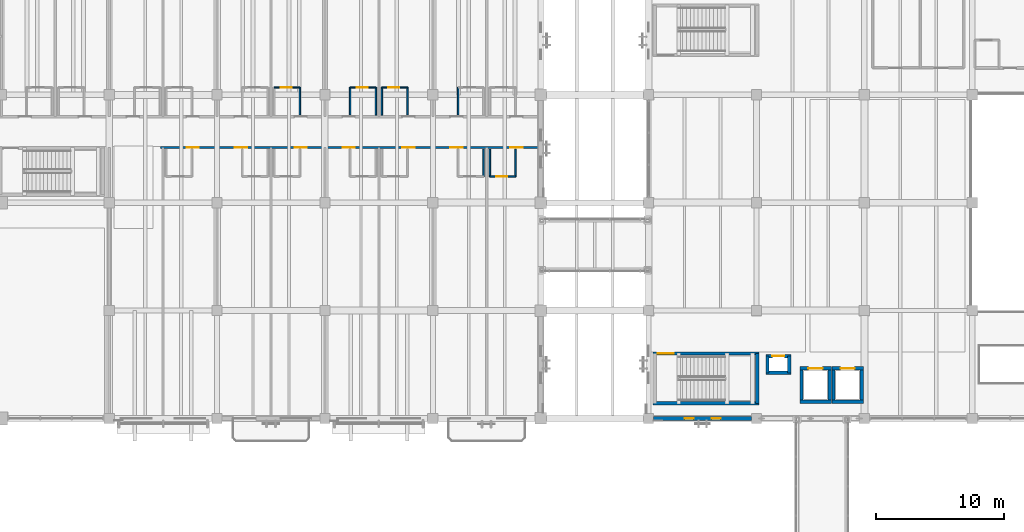
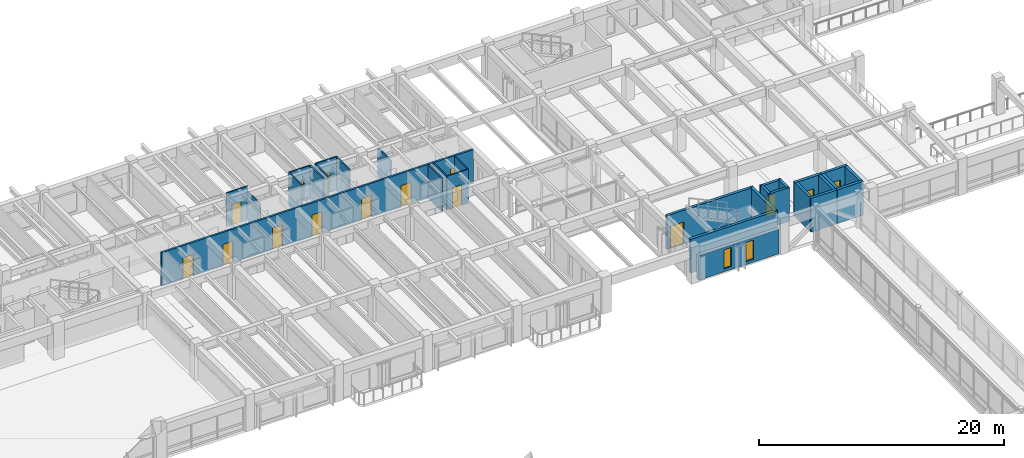
# One storey, part 76 of 118: 30 walls, 15 doors, 2 windows, 17 openings.
"""IFC4 building model written with IfcOpenShell, lengths in metres."""

import ifcopenshell
import ifcopenshell.guid

model = None  # the IFC model being written
_history = None  # IfcOwnerHistory: only IFC2X3 demands one
_inside = {}  # id of a spatial element -> (the spatial element, [elements in it])
_under = {}  # id of a project, library or spatial element -> (it, [spatial elements below it])
_declared = {}  # id of a project -> (the project, [libraries it declares])
_typed = {}  # id of a type object -> (the type object, [elements of that type])
_made_of = {}  # id of a material, layer set ... -> (it, [elements and type objects made of it])


def new_model(schema):
    """Start an empty IFC model of exactly this schema.

    Asked for "IFC4X3", IfcOpenShell would pick the latest addendum, in which some entities
    have other attributes; the version numbers below select the first issue.
    IFC2X3 requires an IfcOwnerHistory on every rooted entity: one is made here for all.
    """
    global model, _history
    if schema == "IFC4X3":
        model = ifcopenshell.file(schema_version=(4, 3, 0, 0))
    else:
        model = ifcopenshell.file(schema=schema)
    _inside.clear()
    _under.clear()
    _declared.clear()
    _typed.clear()
    _made_of.clear()
    _history = None
    if model.schema == "IFC2X3":
        org = make("IfcOrganization", Name="unknown")
        user = make(
            "IfcPersonAndOrganization",
            ThePerson=make("IfcPerson", FamilyName="unknown"),
            TheOrganization=org,
        )
        app = make(
            "IfcApplication",
            ApplicationDeveloper=org,
            Version="unknown",
            ApplicationFullName="unknown",
            ApplicationIdentifier="unknown",
        )
        _history = make(
            "IfcOwnerHistory",
            OwningUser=user,
            OwningApplication=app,
            ChangeAction="ADDED",
            CreationDate=0,
        )
    return model


def make(cls, **values):
    """One entity of the class cls with the attributes given. An attribute that is None is left unset."""
    return model.create_entity(
        cls, **{name: value for name, value in values.items() if value is not None}
    )


def rooted(cls, **values):
    """An entity with a GlobalId (a new one), such as an element, a storey or a relation."""
    return make(cls, GlobalId=ifcopenshell.guid.new(), OwnerHistory=_history, **values)


def si_unit(unit_type, name, prefix=None):
    """IfcSIUnit, for example si_unit("LENGTHUNIT", "METRE", prefix="MILLI")."""
    return make("IfcSIUnit", UnitType=unit_type, Prefix=prefix, Name=name)


def assignment(units):
    """IfcUnitAssignment: the units of a project."""
    return None if units is None else make("IfcUnitAssignment", Units=units)


def point(xyz):
    """IfcCartesianPoint."""
    return None if xyz is None else make("IfcCartesianPoint", Coordinates=xyz)


def direction(xyz):
    """IfcDirection."""
    return None if xyz is None else make("IfcDirection", DirectionRatios=xyz)


def frame(location, z_axis=None, x_axis=None):
    """IfcAxis2Placement3D, a coordinate frame: its origin and axes. An axis left out is left unset."""
    return make(
        "IfcAxis2Placement3D",
        Location=point(location),
        Axis=direction(z_axis),
        RefDirection=direction(x_axis),
    )


def frame_2d(location, x_axis=None):
    """IfcAxis2Placement2D, a coordinate frame in the plane: its origin and x axis."""
    return make(
        "IfcAxis2Placement2D", Location=point(location), RefDirection=direction(x_axis)
    )


def origin():
    """The frame at (0, 0, 0) with its axes left unset."""
    return frame((0.0, 0.0, 0.0))


def place(relative_to, where):
    """IfcLocalPlacement: puts the frame where relative to a parent placement (None: the world)."""
    return make(
        "IfcLocalPlacement", PlacementRelTo=relative_to, RelativePlacement=where
    )


def context(
    kind, dimensions, precision=None, world=None, true_north=None, identifier=None
):
    """IfcGeometricRepresentationContext, for example the 3D "Model" context."""
    return make(
        "IfcGeometricRepresentationContext",
        ContextIdentifier=identifier,
        ContextType=kind,
        CoordinateSpaceDimension=dimensions,
        Precision=precision,
        WorldCoordinateSystem=world,
        TrueNorth=true_north,
    )


def subcontext(parent, identifier, kind, view, scale=None):
    """IfcGeometricRepresentationSubContext, for example "Body" below "Model"."""
    return make(
        "IfcGeometricRepresentationSubContext",
        ContextIdentifier=identifier,
        ContextType=kind,
        ParentContext=parent,
        TargetScale=scale,
        TargetView=view,
    )


def project(units=None, contexts=None):
    """IfcProject with its units and contexts."""
    return rooted(
        "IfcProject",
        Name="project",
        RepresentationContexts=contexts,
        UnitsInContext=assignment(units),
    )


def spatial(cls, under=None, at=None, **own):
    """A site, building, storey or space (cls), placed at a placement, below another one or the project."""
    s = rooted(cls, ObjectPlacement=at, **own)
    if under is not None:
        _under.setdefault(under.id(), (under, []))[1].append(s)
    return s


def profile(cls, at=None, kind="AREA", **sizes):
    """A parametric profile (cls). Its sizes go by their IFC names, for example OverallWidth=200.0."""
    return make(cls, ProfileType=kind, Position=at, **sizes)


def rectangle(**sizes):
    """IfcRectangleProfileDef."""
    return profile("IfcRectangleProfileDef", **sizes)


def extrude(swept, where, along, depth):
    """IfcExtrudedAreaSolid: the profile swept, set in the frame where, extruded along a direction by depth."""
    return make(
        "IfcExtrudedAreaSolid",
        SweptArea=swept,
        Position=where,
        ExtrudedDirection=direction(along),
        Depth=depth,
    )


def shape(context_of_items, identifier, shape_type, items):
    """IfcShapeRepresentation: the items that make up one representation, for example the "Body"."""
    return make(
        "IfcShapeRepresentation",
        ContextOfItems=context_of_items,
        RepresentationIdentifier=identifier,
        RepresentationType=shape_type,
        Items=items,
    )


def material(Name=None, Category=None):
    """IfcMaterial."""
    return make("IfcMaterial", Name=Name, Category=Category)


def layer(
    of_material, thickness, ventilated=None, Name=None, Category=None, Priority=None
):
    """IfcMaterialLayer: one layer of a wall or slab, of a material (None: an air gap)."""
    return make(
        "IfcMaterialLayer",
        Material=of_material,
        LayerThickness=thickness,
        IsVentilated=ventilated,
        Name=Name,
        Category=Category,
        Priority=Priority,
    )


def layer_set(layers, Name=None):
    """IfcMaterialLayerSet."""
    return make("IfcMaterialLayerSet", MaterialLayers=layers, LayerSetName=Name)


def made_of(thing, what):
    """Note that an element or type object is made of a material, layer set ...; save() writes the relation."""
    if what is not None:
        _made_of.setdefault(what.id(), (what, []))[1].append(thing)
    return thing


def type_object(cls, material=None, **own):
    """A type object (cls), such as IfcWallType, which elements share."""
    return made_of(rooted(cls, **own), material)


def element(
    cls,
    number,
    at=None,
    inside=None,
    cuts=None,
    type_object=None,
    material=None,
    context=None,
    identifier="Body",
    shape_type=None,
    held_by="IfcProductDefinitionShape",
    body=None,
    shapes=None,
    **own,
):
    """One element of the class cls, such as IfcWall. Its Tag is "e" and its number.

    at: its placement. inside: the storey or other place that contains it. cuts: it is an
    opening in that element (IfcRelVoidsElement). A single representation is given by context,
    identifier, shape_type and body (its items); several are given by shapes. held_by: the class
    of the entity that holds the representations. save() writes the other relations.
    """
    e = rooted(cls, Tag="e%d" % number, ObjectPlacement=at, **own)
    if body is not None:
        shapes = [shape(context, identifier, shape_type, body)]
    if shapes is not None:
        e.Representation = make(held_by, Representations=shapes)
    if inside is not None:
        _inside.setdefault(inside.id(), (inside, []))[1].append(e)
    if cuts is not None:
        rooted(
            "IfcRelVoidsElement", RelatingBuildingElement=cuts, RelatedOpeningElement=e
        )
    if type_object is not None:
        _typed.setdefault(type_object.id(), (type_object, []))[1].append(e)
    return made_of(e, material)


def fill(opening, filler):
    """IfcRelFillsElement: the door or window that sits in an opening."""
    return rooted(
        "IfcRelFillsElement",
        RelatingOpeningElement=opening,
        RelatedBuildingElement=filler,
    )


def aggregate(whole, parts):
    """IfcRelAggregates: a whole, such as a stair, and the parts it consists of."""
    return rooted("IfcRelAggregates", RelatingObject=whole, RelatedObjects=parts)


def save(model, path):
    """Write the relations noted so far, then the file.

    IfcRelAggregates (storeys below a building ...), IfcRelContainedInSpatialStructure (elements
    in a storey), IfcRelDefinesByType, IfcRelAssociatesMaterial and IfcRelDeclares: one each for
    every whole, place, type object, material and project.
    """
    for whole, parts in _under.values():
        aggregate(whole, parts)
    for where, things in _inside.values():
        rooted(
            "IfcRelContainedInSpatialStructure",
            RelatedElements=things,
            RelatingStructure=where,
        )
    for kind, things in _typed.values():
        rooted("IfcRelDefinesByType", RelatedObjects=things, RelatingType=kind)
    for what, things in _made_of.values():
        rooted("IfcRelAssociatesMaterial", RelatedObjects=things, RelatingMaterial=what)
    for by, libraries in _declared.values():
        rooted("IfcRelDeclares", RelatingContext=by, RelatedDefinitions=libraries)
    model.write(path)


model = new_model("IFC4")

# Units and contexts
model_context = context("Model", 3, precision=1e-05, world=origin(), true_north=direction((0.0, 1.0)))
body_context = subcontext(model_context, "Body", "Model", "MODEL_VIEW")
ifc_project = project(units=[si_unit("LENGTHUNIT", "METRE"), si_unit("AREAUNIT", "SQUARE_METRE"), si_unit("VOLUMEUNIT", "CUBIC_METRE"), si_unit("PLANEANGLEUNIT", "RADIAN"), si_unit("MASSUNIT", "GRAM", prefix="KILO")], contexts=[model_context])

# Site, building, storey
site_placement = place(None, origin())
site = spatial("IfcSite", under=ifc_project, at=site_placement, CompositionType="ELEMENT")
building_placement = place(site_placement, origin())
building = spatial("IfcBuilding", under=site, at=building_placement, Name="Cumbredor Promenade Congress Hotel", CompositionType="ELEMENT")
storey_placement = place(building_placement, frame((0.0, 0.0, 3.919921875)))
storey = spatial("IfcBuildingStorey", under=building, at=storey_placement, Name="L01", CompositionType="ELEMENT", Elevation=3.919921875)

# Wall, opening, door
ifc_material_1 = material(Name="Moisture-resistant gypsum board on steel studs", Category="steel")
ifc_layer_1 = layer(ifc_material_1, 0.114990234375, Name="Moisture-resistant gypsum board on steel studs", Category="steel")
ifc_layer_set_1 = layer_set([ifc_layer_1], Name="Moisture-resistant gypsum board on steel studs")
wall_type_1 = type_object("IfcWallType", Name="WL-BATH-115", PredefinedType="PARTITIONING", material=ifc_layer_set_1)
wall_1_placement = place(storey_placement, frame((63.239990234375, 109.77001953125, 0.0), z_axis=(0.0, 0.0, 1.0), x_axis=(1.0, 0.0, 0.0)))
wall_1 = element("IfcWall", 1, at=wall_1_placement, inside=storey, type_object=wall_type_1, Name="L01 Interior Partition W-L01-BH-0114", PredefinedType="PARTITIONING", context=body_context, shape_type="SweptSolid", body=[
    extrude(rectangle(XDim=2.0, YDim=0.114990234375, at=frame_2d((1.0, 0.0))), origin(), (0.0, 0.0, 1.0), 3.360107421875),
])
opening_1_placement = place(wall_1_placement, frame((0.5, 0.0, 0.0)))
opening_1 = element("IfcOpeningElement", 2, at=opening_1_placement, cuts=wall_1, Name="Opening ID-01", PredefinedType="OPENING", context=body_context, shape_type="SweptSolid", body=[
    extrude(rectangle(XDim=0.860107421875, YDim=2.050048828125, at=frame_2d((0.43017578125, 1.02490234375))), frame((0.0, 0.0673828125, 0.0), z_axis=(0.0, -1.0, 0.0), x_axis=(1.0, 0.0, 0.0)), (0.0, 0.0, 1.0), 0.135009765625),
])
ifc_material_2 = material(Name="Kiln-dried tropical hardwood", Category="wood")
door_type_1 = type_object("IfcDoorType", Name="DR-BATH-860", OperationType="NOTDEFINED", PredefinedType="DOOR", material=ifc_material_2)
door_1_placement = place(opening_1_placement, origin())
door_1 = element("IfcDoor", 3, at=door_1_placement, inside=storey, type_object=door_type_1, Name="L01 Interior Door W-L01-BH-0114-01", OperationType="SINGLE_SWING_RIGHT", OverallHeight=2.050048828125, OverallWidth=0.860107421875, PredefinedType="DOOR", context=body_context, shape_type="SweptSolid", body=[
    extrude(rectangle(XDim=0.860107421875, YDim=2.050048828125, at=frame_2d((0.43017578125, 1.02490234375))), frame((0.0, 0.02490234375, 0.0), z_axis=(0.0, -1.0, 0.0), x_axis=(1.0, 0.0, 0.0)), (0.0, 0.0, 1.0), 0.050048828125),
])
fill(opening_1, door_1)

# Wall
wall_2_placement = place(storey_placement, frame((65.239990234375, 107.6201171875, 0.0), z_axis=(0.0, 0.0, 1.0), x_axis=(0.0, 1.0, 0.0)))
element("IfcWall", 4, at=wall_2_placement, inside=storey, type_object=wall_type_1, Name="L01 Interior Partition W-L01-BV2-0114", PredefinedType="PARTITIONING", context=body_context, shape_type="SweptSolid", body=[
    extrude(rectangle(XDim=2.14990234375, YDim=0.114990234375, at=frame_2d((1.074951171875, 0.0))), origin(), (0.0, 0.0, 1.0), 2.882080078125),
])

# Wall, opening, door
wall_3_placement = place(storey_placement, frame((69.159912109375, 109.77001953125, 0.0), z_axis=(0.0, 0.0, 1.0), x_axis=(1.0, 0.0, 0.0)))
wall_3 = element("IfcWall", 5, at=wall_3_placement, inside=storey, type_object=wall_type_1, Name="L01 Interior Partition W-L01-BH-0115", PredefinedType="PARTITIONING", context=body_context, shape_type="SweptSolid", body=[
    extrude(rectangle(XDim=2.0, YDim=0.114990234375, at=frame_2d((1.0, 0.0))), origin(), (0.0, 0.0, 1.0), 3.360107421875),
])
opening_2_placement = place(wall_3_placement, frame((0.5, 0.0, 0.0)))
opening_2 = element("IfcOpeningElement", 6, at=opening_2_placement, cuts=wall_3, Name="Opening ID-01", PredefinedType="OPENING", context=body_context, shape_type="SweptSolid", body=[
    extrude(rectangle(XDim=0.860107421875, YDim=2.050048828125, at=frame_2d((0.43017578125, 1.02490234375))), frame((0.0, 0.0673828125, 0.0), z_axis=(0.0, -1.0, 0.0), x_axis=(1.0, 0.0, 0.0)), (0.0, 0.0, 1.0), 0.135009765625),
])
door_2_placement = place(opening_2_placement, origin())
door_2 = element("IfcDoor", 7, at=door_2_placement, inside=storey, type_object=door_type_1, Name="L01 Interior Door W-L01-BH-0115-01", OperationType="SINGLE_SWING_LEFT", OverallHeight=2.050048828125, OverallWidth=0.860107421875, PredefinedType="DOOR", context=body_context, shape_type="SweptSolid", body=[
    extrude(rectangle(XDim=0.860107421875, YDim=2.050048828125, at=frame_2d((0.43017578125, 1.02490234375))), frame((0.0, 0.02490234375, 0.0), z_axis=(0.0, -1.0, 0.0), x_axis=(1.0, 0.0, 0.0)), (0.0, 0.0, 1.0), 0.050048828125),
])
fill(opening_2, door_2)

# Walls
for number, where, z_axis, x_axis, name in (
    (8, (69.159912109375, 107.6201171875, 0.0), (0.0, 0.0, 1.0), (0.0, 1.0, 0.0), "L01 Interior Partition W-L01-BV1-0115"),
    (9, (71.159912109375, 107.6201171875, 0.0), (0.0, 0.0, 1.0), (0.0, 1.0, 0.0), "L01 Interior Partition W-L01-BV2-0115"),
):
    element("IfcWall", number, at=place(storey_placement, frame(where, z_axis=z_axis, x_axis=x_axis)), inside=storey, type_object=wall_type_1, Name=name, PredefinedType="PARTITIONING", context=body_context, shape_type="SweptSolid", body=[
        extrude(rectangle(XDim=2.14990234375, YDim=0.114990234375, at=frame_2d((1.074951171875, 0.0))), origin(), (0.0, 0.0, 1.0), 3.360107421875),
    ])

# Wall, opening, door
wall_4_placement = place(storey_placement, frame((71.639892578125, 109.77001953125, 0.0), z_axis=(0.0, 0.0, 1.0), x_axis=(1.0, 0.0, 0.0)))
wall_4 = element("IfcWall", 10, at=wall_4_placement, inside=storey, type_object=wall_type_1, Name="L01 Interior Partition W-L01-BH-0116", PredefinedType="PARTITIONING", context=body_context, shape_type="SweptSolid", body=[
    extrude(rectangle(XDim=2.0, YDim=0.114990234375, at=frame_2d((1.0, 0.0))), origin(), (0.0, 0.0, 1.0), 3.360107421875),
])
opening_3_placement = place(wall_4_placement, frame((0.5, 0.0, 0.0)))
opening_3 = element("IfcOpeningElement", 11, at=opening_3_placement, cuts=wall_4, Name="Opening ID-01", PredefinedType="OPENING", context=body_context, shape_type="SweptSolid", body=[
    extrude(rectangle(XDim=0.860107421875, YDim=2.050048828125, at=frame_2d((0.43017578125, 1.02490234375))), frame((0.0, 0.0673828125, 0.0), z_axis=(0.0, -1.0, 0.0), x_axis=(1.0, 0.0, 0.0)), (0.0, 0.0, 1.0), 0.135009765625),
])
door_3_placement = place(opening_3_placement, origin())
door_3 = element("IfcDoor", 12, at=door_3_placement, inside=storey, type_object=door_type_1, Name="L01 Interior Door W-L01-BH-0116-01", OperationType="SINGLE_SWING_RIGHT", OverallHeight=2.050048828125, OverallWidth=0.860107421875, PredefinedType="DOOR", context=body_context, shape_type="SweptSolid", body=[
    extrude(rectangle(XDim=0.860107421875, YDim=2.050048828125, at=frame_2d((0.43017578125, 1.02490234375))), frame((0.0, 0.02490234375, 0.0), z_axis=(0.0, -1.0, 0.0), x_axis=(1.0, 0.0, 0.0)), (0.0, 0.0, 1.0), 0.050048828125),
])
fill(opening_3, door_3)

# Walls
for number, where, z_axis, x_axis, name in (
    (13, (71.639892578125, 107.6201171875, 0.0), (0.0, 0.0, 1.0), (0.0, 1.0, 0.0), "L01 Interior Partition W-L01-BV1-0116"),
    (14, (73.639892578125, 107.6201171875, 0.0), (0.0, 0.0, 1.0), (0.0, 1.0, 0.0), "L01 Interior Partition W-L01-BV2-0116"),
):
    element("IfcWall", number, at=place(storey_placement, frame(where, z_axis=z_axis, x_axis=x_axis)), inside=storey, type_object=wall_type_1, Name=name, PredefinedType="PARTITIONING", context=body_context, shape_type="SweptSolid", body=[
        extrude(rectangle(XDim=2.14990234375, YDim=0.114990234375, at=frame_2d((1.074951171875, 0.0))), origin(), (0.0, 0.0, 1.0), 3.360107421875),
    ])
wall_5_placement = place(storey_placement, frame((77.56005859375, 107.6201171875, 0.0), z_axis=(0.0, 0.0, 1.0), x_axis=(0.0, 1.0, 0.0)))
element("IfcWall", 15, at=wall_5_placement, inside=storey, type_object=wall_type_1, Name="L01 Interior Partition W-L01-BV1-0117", PredefinedType="PARTITIONING", context=body_context, shape_type="SweptSolid", body=[
    extrude(rectangle(XDim=2.14990234375, YDim=0.114990234375, at=frame_2d((1.074951171875, 0.0))), origin(), (0.0, 0.0, 1.0), 2.882080078125),
])
wall_6_placement = place(storey_placement, frame((79.56005859375, 102.830078125, 0.0), z_axis=(0.0, 0.0, 1.0), x_axis=(0.0, 1.0, 0.0)))
element("IfcWall", 16, at=wall_6_placement, inside=storey, type_object=wall_type_1, Name="L01 Interior Partition W-L01-BV2-0124", PredefinedType="PARTITIONING", context=body_context, shape_type="SweptSolid", body=[
    extrude(rectangle(XDim=2.14990234375, YDim=0.114990234375, at=frame_2d((1.074951171875, 0.0))), origin(), (0.0, 0.0, 1.0), 3.360107421875),
])

# Wall, opening, door
wall_7_placement = place(storey_placement, frame((80.0400390625, 102.830078125, 0.0), z_axis=(0.0, 0.0, 1.0), x_axis=(1.0, 0.0, 0.0)))
wall_7 = element("IfcWall", 17, at=wall_7_placement, inside=storey, type_object=wall_type_1, Name="L01 Interior Partition W-L01-BH-0125", PredefinedType="PARTITIONING", context=body_context, shape_type="SweptSolid", body=[
    extrude(rectangle(XDim=2.0, YDim=0.114990234375, at=frame_2d((1.0, 0.0))), origin(), (0.0, 0.0, 1.0), 3.360107421875),
])
opening_4_placement = place(wall_7_placement, frame((0.5, 0.0, 0.0)))
opening_4 = element("IfcOpeningElement", 18, at=opening_4_placement, cuts=wall_7, Name="Opening ID-01", PredefinedType="OPENING", context=body_context, shape_type="SweptSolid", body=[
    extrude(rectangle(XDim=0.860107421875, YDim=2.050048828125, at=frame_2d((0.43017578125, 1.02490234375))), frame((0.0, 0.0673828125, 0.0), z_axis=(0.0, -1.0, 0.0), x_axis=(1.0, 0.0, 0.0)), (0.0, 0.0, 1.0), 0.135009765625),
])
door_4_placement = place(opening_4_placement, origin())
door_4 = element("IfcDoor", 19, at=door_4_placement, inside=storey, type_object=door_type_1, Name="L01 Interior Door W-L01-BH-0125-01", OperationType="SINGLE_SWING_LEFT", OverallHeight=2.050048828125, OverallWidth=0.860107421875, PredefinedType="DOOR", context=body_context, shape_type="SweptSolid", body=[
    extrude(rectangle(XDim=0.860107421875, YDim=2.050048828125, at=frame_2d((0.43017578125, 1.02490234375))), frame((0.0, 0.02490234375, 0.0), z_axis=(0.0, -1.0, 0.0), x_axis=(1.0, 0.0, 0.0)), (0.0, 0.0, 1.0), 0.050048828125),
])
fill(opening_4, door_4)

# Walls
for number, where, z_axis, x_axis, name in (
    (20, (80.0400390625, 102.830078125, 0.0), (0.0, 0.0, 1.0), (0.0, 1.0, 0.0), "L01 Interior Partition W-L01-BV1-0125"),
    (21, (82.0400390625, 102.830078125, 0.0), (0.0, 0.0, 1.0), (0.0, 1.0, 0.0), "L01 Interior Partition W-L01-BV2-0125"),
):
    element("IfcWall", number, at=place(storey_placement, frame(where, z_axis=z_axis, x_axis=x_axis)), inside=storey, type_object=wall_type_1, Name=name, PredefinedType="PARTITIONING", context=body_context, shape_type="SweptSolid", body=[
        extrude(rectangle(XDim=2.14990234375, YDim=0.114990234375, at=frame_2d((1.074951171875, 0.0))), origin(), (0.0, 0.0, 1.0), 3.360107421875),
    ])

# Wall, openings, doors
ifc_material_3 = material(Name="Fire-rated hotel corridor wall")
ifc_layer_2 = layer(ifc_material_3, 0.179931640625, Name="Fire-rated hotel corridor wall")
ifc_layer_set_2 = layer_set([ifc_layer_2], Name="Fire-rated hotel corridor wall")
wall_type_2 = type_object("IfcWallType", Name="WL-CORR-180", PredefinedType="PARTITIONING", material=ifc_layer_set_2)
wall_8_placement = place(storey_placement, frame((54.39990234375, 105.10009765625, 0.0), z_axis=(0.0, 0.0, 1.0), x_axis=(1.0, 0.0, 0.0)))
wall_8 = element("IfcWall", 22, at=wall_8_placement, inside=storey, type_object=wall_type_2, Name="L01 Interior Partition W-L01-CORR-SE", PredefinedType="PARTITIONING", context=body_context, shape_type="SweptSolid", body=[
    extrude(rectangle(XDim=29.41015625, YDim=0.179931640625, at=frame_2d((14.705078125, 0.0))), origin(), (0.0, 0.0, 1.0), 3.360107421875),
])
opening_5_placement = place(wall_8_placement, frame((2.030029296875, 0.0, 0.0)))
opening_5 = element("IfcOpeningElement", 23, at=opening_5_placement, cuts=wall_8, Name="Opening FD-01", PredefinedType="OPENING", context=body_context, shape_type="SweptSolid", body=[
    extrude(rectangle(XDim=0.9599609375, YDim=2.14990234375, at=frame_2d((0.47998046875, 1.074951171875))), frame((0.0, 0.10009765625, 0.0), z_axis=(0.0, -1.0, 0.0), x_axis=(1.0, 0.0, 0.0)), (0.0, 0.0, 1.0), 0.199951171875),
])
opening_6_placement = place(wall_8_placement, frame((5.77001953125, 0.0, 0.0)))
opening_6 = element("IfcOpeningElement", 24, at=opening_6_placement, cuts=wall_8, Name="Opening FD-01", PredefinedType="OPENING", context=body_context, shape_type="SweptSolid", body=[
    extrude(rectangle(XDim=0.9599609375, YDim=2.14990234375, at=frame_2d((0.47998046875, 1.074951171875))), frame((0.0, 0.10009765625, 0.0), z_axis=(0.0, -1.0, 0.0), x_axis=(1.0, 0.0, 0.0)), (0.0, 0.0, 1.0), 0.199951171875),
])
opening_7_placement = place(wall_8_placement, frame((10.429931640625, 0.0, 0.0)))
opening_7 = element("IfcOpeningElement", 25, at=opening_7_placement, cuts=wall_8, Name="Opening FD-01", PredefinedType="OPENING", context=body_context, shape_type="SweptSolid", body=[
    extrude(rectangle(XDim=0.9599609375, YDim=2.14990234375, at=frame_2d((0.47998046875, 1.074951171875))), frame((0.0, 0.10009765625, 0.0), z_axis=(0.0, -1.0, 0.0), x_axis=(1.0, 0.0, 0.0)), (0.0, 0.0, 1.0), 0.199951171875),
])
opening_8_placement = place(wall_8_placement, frame((14.169921875, 0.0, 0.0)))
opening_8 = element("IfcOpeningElement", 26, at=opening_8_placement, cuts=wall_8, Name="Opening FD-01", PredefinedType="OPENING", context=body_context, shape_type="SweptSolid", body=[
    extrude(rectangle(XDim=0.9599609375, YDim=2.14990234375, at=frame_2d((0.47998046875, 1.074951171875))), frame((0.0, 0.10009765625, 0.0), z_axis=(0.0, -1.0, 0.0), x_axis=(1.0, 0.0, 0.0)), (0.0, 0.0, 1.0), 0.199951171875),
])
opening_9_placement = place(wall_8_placement, frame((18.830078125, 0.0, 0.0)))
opening_9 = element("IfcOpeningElement", 27, at=opening_9_placement, cuts=wall_8, Name="Opening FD-01", PredefinedType="OPENING", context=body_context, shape_type="SweptSolid", body=[
    extrude(rectangle(XDim=0.9599609375, YDim=2.14990234375, at=frame_2d((0.47998046875, 1.074951171875))), frame((0.0, 0.10009765625, 0.0), z_axis=(0.0, -1.0, 0.0), x_axis=(1.0, 0.0, 0.0)), (0.0, 0.0, 1.0), 0.199951171875),
])
opening_10_placement = place(wall_8_placement, frame((22.570068359375, 0.0, 0.0)))
opening_10 = element("IfcOpeningElement", 28, at=opening_10_placement, cuts=wall_8, Name="Opening FD-01", PredefinedType="OPENING", context=body_context, shape_type="SweptSolid", body=[
    extrude(rectangle(XDim=0.9599609375, YDim=2.14990234375, at=frame_2d((0.47998046875, 1.074951171875))), frame((0.0, 0.10009765625, 0.0), z_axis=(0.0, -1.0, 0.0), x_axis=(1.0, 0.0, 0.0)), (0.0, 0.0, 1.0), 0.199951171875),
])
opening_11_placement = place(wall_8_placement, frame((27.22998046875, 0.0, 0.0)))
opening_11 = element("IfcOpeningElement", 29, at=opening_11_placement, cuts=wall_8, Name="Opening FD-01", PredefinedType="OPENING", context=body_context, shape_type="SweptSolid", body=[
    extrude(rectangle(XDim=0.9599609375, YDim=2.14990234375, at=frame_2d((0.47998046875, 1.074951171875))), frame((0.0, 0.10009765625, 0.0), z_axis=(0.0, -1.0, 0.0), x_axis=(1.0, 0.0, 0.0)), (0.0, 0.0, 1.0), 0.199951171875),
])
ifc_material_4 = material(Name="Solid-core fire-rated tropical hardwood", Category="wood")
door_type_2 = type_object("IfcDoorType", Name="DR-GUEST-FD30-950", OperationType="NOTDEFINED", PredefinedType="DOOR", material=ifc_material_4)
door_5_placement = place(opening_5_placement, origin())
door_5 = element("IfcDoor", 30, at=door_5_placement, inside=storey, type_object=door_type_2, Name="L01 Interior Door W-L01-CORR-SE-01", OperationType="SINGLE_SWING_RIGHT", OverallHeight=2.14990234375, OverallWidth=0.9599609375, PredefinedType="DOOR", context=body_context, shape_type="SweptSolid", body=[
    extrude(rectangle(XDim=0.9599609375, YDim=2.14990234375, at=frame_2d((0.47998046875, 1.074951171875))), frame((0.0, 0.02490234375, 0.0), z_axis=(0.0, -1.0, 0.0), x_axis=(1.0, 0.0, 0.0)), (0.0, 0.0, 1.0), 0.050048828125),
])
fill(opening_5, door_5)
door_6_placement = place(opening_6_placement, origin())
door_6 = element("IfcDoor", 31, at=door_6_placement, inside=storey, type_object=door_type_2, Name="L01 Interior Door W-L01-CORR-SE-02", OperationType="SINGLE_SWING_LEFT", OverallHeight=2.14990234375, OverallWidth=0.9599609375, PredefinedType="DOOR", context=body_context, shape_type="SweptSolid", body=[
    extrude(rectangle(XDim=0.9599609375, YDim=2.14990234375, at=frame_2d((0.47998046875, 1.074951171875))), frame((0.0, 0.02490234375, 0.0), z_axis=(0.0, -1.0, 0.0), x_axis=(1.0, 0.0, 0.0)), (0.0, 0.0, 1.0), 0.050048828125),
])
fill(opening_6, door_6)
door_7_placement = place(opening_7_placement, origin())
door_7 = element("IfcDoor", 32, at=door_7_placement, inside=storey, type_object=door_type_2, Name="L01 Interior Door W-L01-CORR-SE-03", OperationType="SINGLE_SWING_RIGHT", OverallHeight=2.14990234375, OverallWidth=0.9599609375, PredefinedType="DOOR", context=body_context, shape_type="SweptSolid", body=[
    extrude(rectangle(XDim=0.9599609375, YDim=2.14990234375, at=frame_2d((0.47998046875, 1.074951171875))), frame((0.0, 0.02490234375, 0.0), z_axis=(0.0, -1.0, 0.0), x_axis=(1.0, 0.0, 0.0)), (0.0, 0.0, 1.0), 0.050048828125),
])
fill(opening_7, door_7)
door_8_placement = place(opening_8_placement, origin())
door_8 = element("IfcDoor", 33, at=door_8_placement, inside=storey, type_object=door_type_2, Name="L01 Interior Door W-L01-CORR-SE-04", OperationType="SINGLE_SWING_LEFT", OverallHeight=2.14990234375, OverallWidth=0.9599609375, PredefinedType="DOOR", context=body_context, shape_type="SweptSolid", body=[
    extrude(rectangle(XDim=0.9599609375, YDim=2.14990234375, at=frame_2d((0.47998046875, 1.074951171875))), frame((0.0, 0.02490234375, 0.0), z_axis=(0.0, -1.0, 0.0), x_axis=(1.0, 0.0, 0.0)), (0.0, 0.0, 1.0), 0.050048828125),
])
fill(opening_8, door_8)
door_9_placement = place(opening_9_placement, origin())
door_9 = element("IfcDoor", 34, at=door_9_placement, inside=storey, type_object=door_type_2, Name="L01 Interior Door W-L01-CORR-SE-05", OperationType="SINGLE_SWING_RIGHT", OverallHeight=2.14990234375, OverallWidth=0.9599609375, PredefinedType="DOOR", context=body_context, shape_type="SweptSolid", body=[
    extrude(rectangle(XDim=0.9599609375, YDim=2.14990234375, at=frame_2d((0.47998046875, 1.074951171875))), frame((0.0, 0.02490234375, 0.0), z_axis=(0.0, -1.0, 0.0), x_axis=(1.0, 0.0, 0.0)), (0.0, 0.0, 1.0), 0.050048828125),
])
fill(opening_9, door_9)
door_10_placement = place(opening_10_placement, origin())
door_10 = element("IfcDoor", 35, at=door_10_placement, inside=storey, type_object=door_type_2, Name="L01 Interior Door W-L01-CORR-SE-06", OperationType="SINGLE_SWING_LEFT", OverallHeight=2.14990234375, OverallWidth=0.9599609375, PredefinedType="DOOR", context=body_context, shape_type="SweptSolid", body=[
    extrude(rectangle(XDim=0.9599609375, YDim=2.14990234375, at=frame_2d((0.47998046875, 1.074951171875))), frame((0.0, 0.02490234375, 0.0), z_axis=(0.0, -1.0, 0.0), x_axis=(1.0, 0.0, 0.0)), (0.0, 0.0, 1.0), 0.050048828125),
])
fill(opening_10, door_10)
door_11_placement = place(opening_11_placement, origin())
door_11 = element("IfcDoor", 36, at=door_11_placement, inside=storey, type_object=door_type_2, Name="L01 Interior Door W-L01-CORR-SE-07", OperationType="SINGLE_SWING_RIGHT", OverallHeight=2.14990234375, OverallWidth=0.9599609375, PredefinedType="DOOR", context=body_context, shape_type="SweptSolid", body=[
    extrude(rectangle(XDim=0.9599609375, YDim=2.14990234375, at=frame_2d((0.47998046875, 1.074951171875))), frame((0.0, 0.02490234375, 0.0), z_axis=(0.0, -1.0, 0.0), x_axis=(1.0, 0.0, 0.0)), (0.0, 0.0, 1.0), 0.050048828125),
])
fill(opening_11, door_11)

# Wall, openings, windows
ifc_material_5 = material(Name="Concrete C40/50", Category="concrete")
ifc_layer_3 = layer(ifc_material_5, 0.324951171875, Name="Concrete C40/50", Category="concrete")
ifc_layer_set_3 = layer_set([ifc_layer_3], Name="Concrete C40/50")
wall_type_3 = type_object("IfcWallType", Name="WL-EXT-325", PredefinedType="SOLIDWALL", material=ifc_layer_set_3)
wall_9_placement = place(storey_placement, frame((92.801025390625, 84.0, 0.0), z_axis=(0.0, 0.0, 1.0), x_axis=(1.0, 0.0, 0.0)))
wall_9 = element("IfcWall", 37, at=wall_9_placement, inside=storey, type_object=wall_type_3, Name="L01 Pre-Function and Breakout Meeting Forum South Envelope Wall 1", PredefinedType="SOLIDWALL", context=body_context, shape_type="SweptSolid", body=[
    extrude(rectangle(XDim=7.597900390625, YDim=0.324951171875, at=frame_2d((3.798828125, 0.0))), origin(), (0.0, 0.0, 1.0), 2.445068359375),
])
opening_12_placement = place(wall_9_placement, frame((2.39892578125, 0.0, 0.300048828125)))
opening_12 = element("IfcOpeningElement", 38, at=opening_12_placement, cuts=wall_9, Name="Opening WN-65", PredefinedType="OPENING", context=body_context, shape_type="SweptSolid", body=[
    extrude(rectangle(XDim=0.699951171875, YDim=1.89990234375, at=frame_2d((0.35009765625, 0.949951171875))), frame((0.0, 0.17236328125, 0.0), z_axis=(0.0, -1.0, 0.0), x_axis=(1.0, 0.0, 0.0)), (0.0, 0.0, 1.0), 0.344970703125),
])
opening_13_placement = place(wall_9_placement, frame((4.4990234375, 0.0, 0.300048828125)))
opening_13 = element("IfcOpeningElement", 39, at=opening_13_placement, cuts=wall_9, Name="Opening WN-65", PredefinedType="OPENING", context=body_context, shape_type="SweptSolid", body=[
    extrude(rectangle(XDim=0.699951171875, YDim=1.89990234375, at=frame_2d((0.35009765625, 0.949951171875))), frame((0.0, 0.17236328125, 0.0), z_axis=(0.0, -1.0, 0.0), x_axis=(1.0, 0.0, 0.0)), (0.0, 0.0, 1.0), 0.344970703125),
])
ifc_material_6 = material(Name="Thermally broken anodized aluminium and low-E glass", Category="aluminium")
window_type = type_object("IfcWindowType", Name="Vertical Slot Window WN-65 700x1900", PartitioningType="SINGLE_PANEL", PredefinedType="WINDOW", material=ifc_material_6)
window_1_placement = place(opening_12_placement, origin())
window_1 = element("IfcWindow", 40, at=window_1_placement, inside=storey, type_object=window_type, Name="L01 Vertical Slot Window 0151", OverallHeight=1.89990234375, OverallWidth=0.699951171875, PartitioningType="SINGLE_PANEL", PredefinedType="WINDOW", context=body_context, shape_type="SweptSolid", body=[
    extrude(rectangle(XDim=0.699951171875, YDim=1.89990234375, at=frame_2d((0.35009765625, 0.949951171875))), frame((0.0, 0.030029296875, 0.0), z_axis=(0.0, -1.0, 0.0), x_axis=(1.0, 0.0, 0.0)), (0.0, 0.0, 1.0), 0.06005859375),
])
fill(opening_12, window_1)
window_2_placement = place(opening_13_placement, origin())
window_2 = element("IfcWindow", 41, at=window_2_placement, inside=storey, type_object=window_type, Name="L01 Vertical Slot Window 0152", OverallHeight=1.89990234375, OverallWidth=0.699951171875, PartitioningType="SINGLE_PANEL", PredefinedType="WINDOW", context=body_context, shape_type="SweptSolid", body=[
    extrude(rectangle(XDim=0.699951171875, YDim=1.89990234375, at=frame_2d((0.35009765625, 0.949951171875))), frame((0.0, 0.030029296875, 0.0), z_axis=(0.0, -1.0, 0.0), x_axis=(1.0, 0.0, 0.0)), (0.0, 0.0, 1.0), 0.06005859375),
])
fill(opening_13, window_2)

# Wall
ifc_layer_4 = layer(ifc_material_5, 0.2548828125, Name="Concrete C40/50", Category="concrete")
ifc_layer_set_4 = layer_set([ifc_layer_4], Name="Concrete C40/50")
wall_type_4 = type_object("IfcWallType", Name="WL-SHAFT-250", PredefinedType="SOLIDWALL", material=ifc_layer_set_4)
wall_10_placement = place(storey_placement, frame((92.75244140625, 85.179931640625, 0.0), z_axis=(0.0, 0.0, 1.0), x_axis=(1.0, 0.0, 0.0)))
element("IfcWall", 42, at=wall_10_placement, inside=storey, type_object=wall_type_4, Name="STAIR-ST-13-L01 Shaft Wall South", PredefinedType="SOLIDWALL", context=body_context, shape_type="SweptSolid", body=[
    extrude(rectangle(XDim=8.22509765625, YDim=0.2548828125, at=frame_2d((4.112548828125, 0.0))), origin(), (0.0, 0.0, 1.0), 3.360107421875),
])

# Wall, opening, door
wall_11_placement = place(storey_placement, frame((92.75244140625, 89.050048828125, 0.0), z_axis=(0.0, 0.0, 1.0), x_axis=(1.0, 0.0, 0.0)))
wall_11 = element("IfcWall", 43, at=wall_11_placement, inside=storey, type_object=wall_type_4, Name="STAIR-ST-13-L01 Shaft Wall North", PredefinedType="SOLIDWALL", context=body_context, shape_type="SweptSolid", body=[
    extrude(rectangle(XDim=8.22509765625, YDim=0.2548828125, at=frame_2d((4.112548828125, 0.0))), origin(), (0.0, 0.0, 1.0), 3.360107421875),
])
opening_14_placement = place(wall_11_placement, frame((0.35009765625, 0.0, 0.0)))
opening_14 = element("IfcOpeningElement", 44, at=opening_14_placement, cuts=wall_11, Name="Opening SD-02", PredefinedType="OPENING", context=body_context, shape_type="SweptSolid", body=[
    extrude(rectangle(XDim=1.25, YDim=2.199951171875, at=frame_2d((0.625, 1.10009765625))), frame((0.0, 0.137451171875, 0.0), z_axis=(0.0, -1.0, 0.0), x_axis=(1.0, 0.0, 0.0)), (0.0, 0.0, 1.0), 0.27490234375),
])
ifc_material_7 = material(Name="Painted galvanized steel fire door", Category="steel")
door_type_3 = type_object("IfcDoorType", Name="DR-STAIR-FD90-1250", OperationType="NOTDEFINED", PredefinedType="DOOR", material=ifc_material_7)
door_12_placement = place(opening_14_placement, origin())
door_12 = element("IfcDoor", 45, at=door_12_placement, inside=storey, type_object=door_type_3, Name="L01 Protected Exit Stair ST-13 Door", OperationType="SINGLE_SWING_LEFT", OverallHeight=2.199951171875, OverallWidth=1.25, PredefinedType="DOOR", context=body_context, shape_type="SweptSolid", body=[
    extrude(rectangle(XDim=1.25, YDim=2.199951171875, at=frame_2d((0.625, 1.10009765625))), frame((0.0, 0.02490234375, 0.0), z_axis=(0.0, -1.0, 0.0), x_axis=(1.0, 0.0, 0.0)), (0.0, 0.0, 1.0), 0.050048828125),
])
fill(opening_14, door_12)

# Walls
wall_12_placement = place(storey_placement, frame((100.85009765625, 85.179931640625, 0.0), z_axis=(0.0, 0.0, 1.0), x_axis=(0.0, 1.0, 0.0)))
element("IfcWall", 46, at=wall_12_placement, inside=storey, type_object=wall_type_4, Name="STAIR-ST-13-L01 Shaft Wall East", PredefinedType="SOLIDWALL", context=body_context, shape_type="SweptSolid", body=[
    extrude(rectangle(XDim=3.8701171875, YDim=0.2548828125, at=frame_2d((1.93505859375, 0.0))), origin(), (0.0, 0.0, 1.0), 3.360107421875),
])
wall_13_placement = place(storey_placement, frame((104.172607421875, 85.300048828125, 0.0), z_axis=(0.0, 0.0, 1.0), x_axis=(1.0, 0.0, 0.0)))
element("IfcWall", 47, at=wall_13_placement, inside=storey, type_object=wall_type_4, Name="SHAFT-PL-09-L01 Shaft Wall South", PredefinedType="SOLIDWALL", context=body_context, shape_type="SweptSolid", body=[
    extrude(rectangle(XDim=2.454833984375, YDim=0.2548828125, at=frame_2d((1.2275390625, 0.0))), origin(), (0.0, 0.0, 1.0), 3.360107421875),
])

# Wall, opening, door
wall_14_placement = place(storey_placement, frame((104.172607421875, 87.89990234375, 0.0), z_axis=(0.0, 0.0, 1.0), x_axis=(1.0, 0.0, 0.0)))
wall_14 = element("IfcWall", 48, at=wall_14_placement, inside=storey, type_object=wall_type_4, Name="SHAFT-PL-09-L01 Shaft Wall North", PredefinedType="SOLIDWALL", context=body_context, shape_type="SweptSolid", body=[
    extrude(rectangle(XDim=2.454833984375, YDim=0.2548828125, at=frame_2d((1.2275390625, 0.0))), origin(), (0.0, 0.0, 1.0), 3.360107421875),
])
opening_15_placement = place(wall_14_placement, frame((0.677490234375, 0.0, 0.0)))
opening_15 = element("IfcOpeningElement", 49, at=opening_15_placement, cuts=wall_14, Name="Opening LD-01", PredefinedType="OPENING", context=body_context, shape_type="SweptSolid", body=[
    extrude(rectangle(XDim=1.10009765625, YDim=2.14990234375, at=frame_2d((0.550048828125, 1.074951171875))), frame((0.0, 0.137451171875, 0.0), z_axis=(0.0, -1.0, 0.0), x_axis=(1.0, 0.0, 0.0)), (0.0, 0.0, 1.0), 0.27490234375),
])
ifc_material_8 = material(Name="Brushed stainless steel", Category="steel")
door_type_4 = type_object("IfcDoorType", Name="Lift Landing Sliding Door LD-01 1100x2150", OperationType="DOUBLE_DOOR_SLIDING", PredefinedType="DOOR", material=ifc_material_8)
door_13_placement = place(opening_15_placement, origin())
door_13 = element("IfcDoor", 50, at=door_13_placement, inside=storey, type_object=door_type_4, Name="L01 Forum Congress Lift PL-09 Sliding Landing Door", OperationType="DOUBLE_DOOR_SLIDING", OverallHeight=2.14990234375, OverallWidth=1.10009765625, PredefinedType="DOOR", context=body_context, shape_type="SweptSolid", body=[
    extrude(rectangle(XDim=1.10009765625, YDim=2.14990234375, at=frame_2d((0.550048828125, 1.074951171875))), frame((0.0, 0.02490234375, 0.0), z_axis=(0.0, -1.0, 0.0), x_axis=(1.0, 0.0, 0.0)), (0.0, 0.0, 1.0), 0.050048828125),
])
fill(opening_15, door_13)

# Walls
for number, where, z_axis, x_axis, name in (
    (51, (104.300048828125, 85.300048828125, 0.0), (0.0, 0.0, 1.0), (0.0, 1.0, 0.0), "SHAFT-PL-09-L01 Shaft Wall West"),
    (52, (106.5, 85.300048828125, 0.0), (0.0, 0.0, 1.0), (0.0, 1.0, 0.0), "SHAFT-PL-09-L01 Shaft Wall East"),
):
    element("IfcWall", number, at=place(storey_placement, frame(where, z_axis=z_axis, x_axis=x_axis)), inside=storey, type_object=wall_type_4, Name=name, PredefinedType="SOLIDWALL", context=body_context, shape_type="SweptSolid", body=[
        extrude(rectangle(XDim=2.599853515625, YDim=0.2548828125, at=frame_2d((1.2998046875, 0.0))), origin(), (0.0, 0.0, 1.0), 3.360107421875),
    ])
wall_15_placement = place(storey_placement, frame((106.672607421875, 85.300048828125, 0.0), z_axis=(0.0, 0.0, 1.0), x_axis=(1.0, 0.0, 0.0)))
element("IfcWall", 53, at=wall_15_placement, inside=storey, type_object=wall_type_4, Name="SHAFT-PL-10-L01 Shaft Wall South", PredefinedType="SOLIDWALL", context=body_context, shape_type="SweptSolid", body=[
    extrude(rectangle(XDim=2.454833984375, YDim=0.2548828125, at=frame_2d((1.2275390625, 0.0))), origin(), (0.0, 0.0, 1.0), 3.360107421875),
])

# Wall, opening, door
wall_16_placement = place(storey_placement, frame((106.672607421875, 87.89990234375, 0.0), z_axis=(0.0, 0.0, 1.0), x_axis=(1.0, 0.0, 0.0)))
wall_16 = element("IfcWall", 54, at=wall_16_placement, inside=storey, type_object=wall_type_4, Name="SHAFT-PL-10-L01 Shaft Wall North", PredefinedType="SOLIDWALL", context=body_context, shape_type="SweptSolid", body=[
    extrude(rectangle(XDim=2.454833984375, YDim=0.2548828125, at=frame_2d((1.2275390625, 0.0))), origin(), (0.0, 0.0, 1.0), 3.360107421875),
])
opening_16_placement = place(wall_16_placement, frame((0.677490234375, 0.0, 0.0)))
opening_16 = element("IfcOpeningElement", 55, at=opening_16_placement, cuts=wall_16, Name="Opening LD-01", PredefinedType="OPENING", context=body_context, shape_type="SweptSolid", body=[
    extrude(rectangle(XDim=1.10009765625, YDim=2.14990234375, at=frame_2d((0.550048828125, 1.074951171875))), frame((0.0, 0.137451171875, 0.0), z_axis=(0.0, -1.0, 0.0), x_axis=(1.0, 0.0, 0.0)), (0.0, 0.0, 1.0), 0.27490234375),
])
door_14_placement = place(opening_16_placement, origin())
door_14 = element("IfcDoor", 56, at=door_14_placement, inside=storey, type_object=door_type_4, Name="L01 Forum Congress Lift PL-10 Sliding Landing Door", OperationType="DOUBLE_DOOR_SLIDING", OverallHeight=2.14990234375, OverallWidth=1.10009765625, PredefinedType="DOOR", context=body_context, shape_type="SweptSolid", body=[
    extrude(rectangle(XDim=1.10009765625, YDim=2.14990234375, at=frame_2d((0.550048828125, 1.074951171875))), frame((0.0, 0.02490234375, 0.0), z_axis=(0.0, -1.0, 0.0), x_axis=(1.0, 0.0, 0.0)), (0.0, 0.0, 1.0), 0.050048828125),
])
fill(opening_16, door_14)

# Walls
for number, where, z_axis, x_axis, name in (
    (57, (106.800048828125, 85.300048828125, 0.0), (0.0, 0.0, 1.0), (0.0, 1.0, 0.0), "SHAFT-PL-10-L01 Shaft Wall West"),
    (58, (109.0, 85.300048828125, 0.0), (0.0, 0.0, 1.0), (0.0, 1.0, 0.0), "SHAFT-PL-10-L01 Shaft Wall East"),
):
    element("IfcWall", number, at=place(storey_placement, frame(where, z_axis=z_axis, x_axis=x_axis)), inside=storey, type_object=wall_type_4, Name=name, PredefinedType="SOLIDWALL", context=body_context, shape_type="SweptSolid", body=[
        extrude(rectangle(XDim=2.599853515625, YDim=0.2548828125, at=frame_2d((1.2998046875, 0.0))), origin(), (0.0, 0.0, 1.0), 3.360107421875),
    ])
wall_17_placement = place(storey_placement, frame((101.5224609375, 87.550048828125, 0.0), z_axis=(0.0, 0.0, 1.0), x_axis=(1.0, 0.0, 0.0)))
element("IfcWall", 59, at=wall_17_placement, inside=storey, type_object=wall_type_4, Name="RISER-MEP-R4-L01 Shaft Wall South", PredefinedType="SOLIDWALL", context=body_context, shape_type="SweptSolid", body=[
    extrude(rectangle(XDim=1.955078125, YDim=0.2548828125, at=frame_2d((0.9775390625, 0.0))), origin(), (0.0, 0.0, 1.0), 3.360107421875),
])

# Wall, opening, door
wall_18_placement = place(storey_placement, frame((101.5224609375, 88.85009765625, 0.0), z_axis=(0.0, 0.0, 1.0), x_axis=(1.0, 0.0, 0.0)))
wall_18 = element("IfcWall", 60, at=wall_18_placement, inside=storey, type_object=wall_type_4, Name="RISER-MEP-R4-L01 Shaft Wall North", PredefinedType="SOLIDWALL", context=body_context, shape_type="SweptSolid", body=[
    extrude(rectangle(XDim=1.955078125, YDim=0.2548828125, at=frame_2d((0.9775390625, 0.0))), origin(), (0.0, 0.0, 1.0), 3.360107421875),
])
opening_17_placement = place(wall_18_placement, frame((0.507568359375, 0.0, 0.0)))
opening_17 = element("IfcOpeningElement", 61, at=opening_17_placement, cuts=wall_18, Name="Opening FD-03", PredefinedType="OPENING", context=body_context, shape_type="SweptSolid", body=[
    extrude(rectangle(XDim=0.93994140625, YDim=2.10009765625, at=frame_2d((0.469970703125, 1.050048828125))), frame((0.0, 0.137451171875, 0.0), z_axis=(0.0, -1.0, 0.0), x_axis=(1.0, 0.0, 0.0)), (0.0, 0.0, 1.0), 0.27490234375),
])
door_type_5 = type_object("IfcDoorType", Name="DR-SGL-FD60-950", OperationType="NOTDEFINED", PredefinedType="DOOR", material=ifc_material_7)
door_15_placement = place(opening_17_placement, origin())
door_15 = element("IfcDoor", 62, at=door_15_placement, inside=storey, type_object=door_type_5, Name="L01 Forum MEP Riser Shaft R4 Access Door", OperationType="SINGLE_SWING_LEFT", OverallHeight=2.10009765625, OverallWidth=0.93994140625, PredefinedType="DOOR", context=body_context, shape_type="SweptSolid", body=[
    extrude(rectangle(XDim=0.93994140625, YDim=2.10009765625, at=frame_2d((0.469970703125, 1.050048828125))), frame((0.0, 0.02490234375, 0.0), z_axis=(0.0, -1.0, 0.0), x_axis=(1.0, 0.0, 0.0)), (0.0, 0.0, 1.0), 0.050048828125),
])
fill(opening_17, door_15)

# Walls
for number, where, z_axis, x_axis, name in (
    (63, (101.64990234375, 87.550048828125, 0.0), (0.0, 0.0, 1.0), (0.0, 1.0, 0.0), "RISER-MEP-R4-L01 Shaft Wall West"),
    (64, (103.35009765625, 87.550048828125, 0.0), (0.0, 0.0, 1.0), (0.0, 1.0, 0.0), "RISER-MEP-R4-L01 Shaft Wall East"),
):
    element("IfcWall", number, at=place(storey_placement, frame(where, z_axis=z_axis, x_axis=x_axis)), inside=storey, type_object=wall_type_4, Name=name, PredefinedType="SOLIDWALL", context=body_context, shape_type="SweptSolid", body=[
        extrude(rectangle(XDim=1.300048828125, YDim=0.2548828125, at=frame_2d((0.64990234375, 0.0))), origin(), (0.0, 0.0, 1.0), 3.360107421875),
    ])

save(model, "model.ifc")
